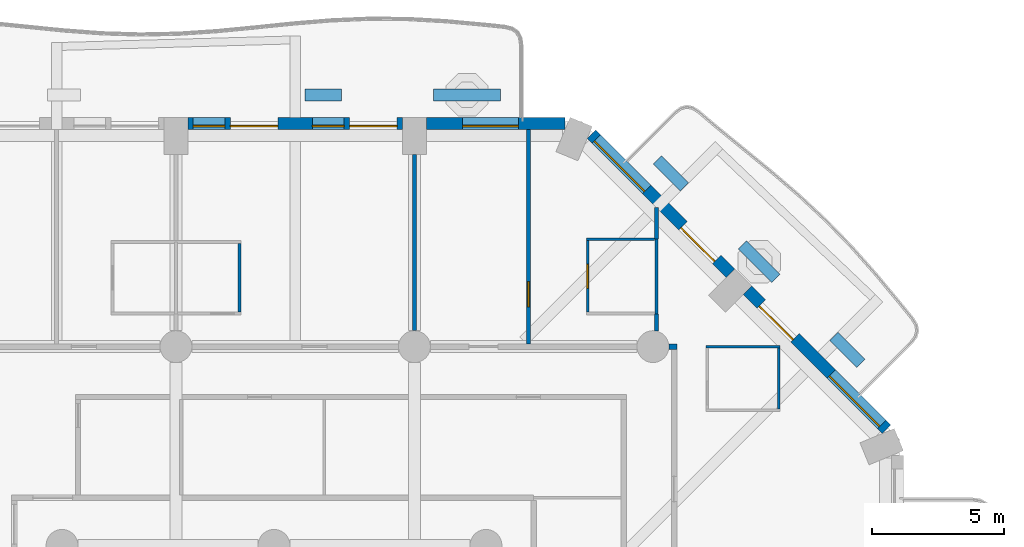
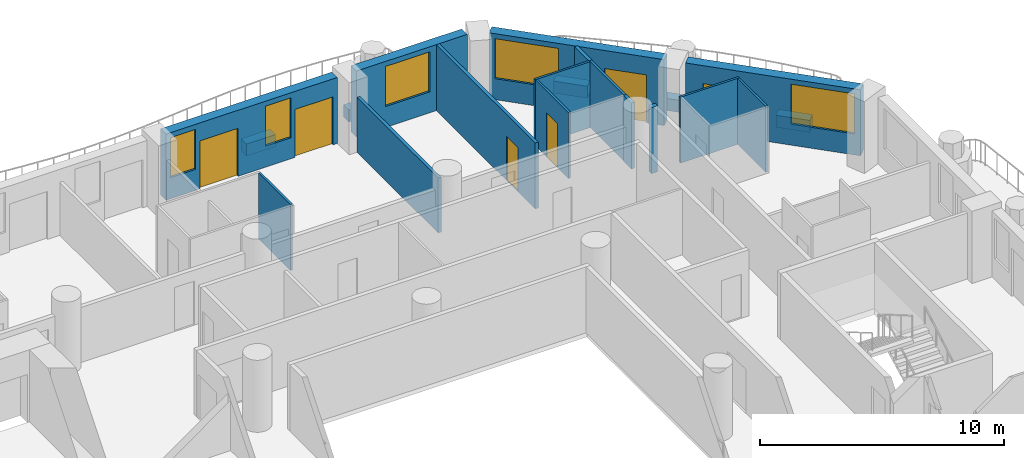
# One storey, part 10 of 20: 20 walls, 6 doors, 5 windows, 11 openings.
"""IFC4 building model written with IfcOpenShell, lengths in metres."""

import ifcopenshell
import ifcopenshell.guid

model = None  # the IFC model being written
_history = None  # IfcOwnerHistory: only IFC2X3 demands one
_inside = {}  # id of a spatial element -> (the spatial element, [elements in it])
_under = {}  # id of a project, library or spatial element -> (it, [spatial elements below it])
_declared = {}  # id of a project -> (the project, [libraries it declares])
_typed = {}  # id of a type object -> (the type object, [elements of that type])
_made_of = {}  # id of a material, layer set ... -> (it, [elements and type objects made of it])


def new_model(schema):
    """Start an empty IFC model of exactly this schema.

    Asked for "IFC4X3", IfcOpenShell would pick the latest addendum, in which some entities
    have other attributes; the version numbers below select the first issue.
    IFC2X3 requires an IfcOwnerHistory on every rooted entity: one is made here for all.
    """
    global model, _history
    if schema == "IFC4X3":
        model = ifcopenshell.file(schema_version=(4, 3, 0, 0))
    else:
        model = ifcopenshell.file(schema=schema)
    _inside.clear()
    _under.clear()
    _declared.clear()
    _typed.clear()
    _made_of.clear()
    _history = None
    if model.schema == "IFC2X3":
        org = make("IfcOrganization", Name="unknown")
        user = make(
            "IfcPersonAndOrganization",
            ThePerson=make("IfcPerson", FamilyName="unknown"),
            TheOrganization=org,
        )
        app = make(
            "IfcApplication",
            ApplicationDeveloper=org,
            Version="unknown",
            ApplicationFullName="unknown",
            ApplicationIdentifier="unknown",
        )
        _history = make(
            "IfcOwnerHistory",
            OwningUser=user,
            OwningApplication=app,
            ChangeAction="ADDED",
            CreationDate=0,
        )
    return model


def make(cls, **values):
    """One entity of the class cls with the attributes given. An attribute that is None is left unset."""
    return model.create_entity(
        cls, **{name: value for name, value in values.items() if value is not None}
    )


def rooted(cls, **values):
    """An entity with a GlobalId (a new one), such as an element, a storey or a relation."""
    return make(cls, GlobalId=ifcopenshell.guid.new(), OwnerHistory=_history, **values)


def si_unit(unit_type, name, prefix=None):
    """IfcSIUnit, for example si_unit("LENGTHUNIT", "METRE", prefix="MILLI")."""
    return make("IfcSIUnit", UnitType=unit_type, Prefix=prefix, Name=name)


def assignment(units):
    """IfcUnitAssignment: the units of a project."""
    return None if units is None else make("IfcUnitAssignment", Units=units)


def point(xyz):
    """IfcCartesianPoint."""
    return None if xyz is None else make("IfcCartesianPoint", Coordinates=xyz)


def direction(xyz):
    """IfcDirection."""
    return None if xyz is None else make("IfcDirection", DirectionRatios=xyz)


def frame(location, z_axis=None, x_axis=None):
    """IfcAxis2Placement3D, a coordinate frame: its origin and axes. An axis left out is left unset."""
    return make(
        "IfcAxis2Placement3D",
        Location=point(location),
        Axis=direction(z_axis),
        RefDirection=direction(x_axis),
    )


def frame_2d(location, x_axis=None):
    """IfcAxis2Placement2D, a coordinate frame in the plane: its origin and x axis."""
    return make(
        "IfcAxis2Placement2D", Location=point(location), RefDirection=direction(x_axis)
    )


def origin():
    """The frame at (0, 0, 0) with its axes left unset."""
    return frame((0.0, 0.0, 0.0))


def place(relative_to, where):
    """IfcLocalPlacement: puts the frame where relative to a parent placement (None: the world)."""
    return make(
        "IfcLocalPlacement", PlacementRelTo=relative_to, RelativePlacement=where
    )


def context(
    kind, dimensions, precision=None, world=None, true_north=None, identifier=None
):
    """IfcGeometricRepresentationContext, for example the 3D "Model" context."""
    return make(
        "IfcGeometricRepresentationContext",
        ContextIdentifier=identifier,
        ContextType=kind,
        CoordinateSpaceDimension=dimensions,
        Precision=precision,
        WorldCoordinateSystem=world,
        TrueNorth=true_north,
    )


def subcontext(parent, identifier, kind, view, scale=None):
    """IfcGeometricRepresentationSubContext, for example "Body" below "Model"."""
    return make(
        "IfcGeometricRepresentationSubContext",
        ContextIdentifier=identifier,
        ContextType=kind,
        ParentContext=parent,
        TargetScale=scale,
        TargetView=view,
    )


def project(units=None, contexts=None):
    """IfcProject with its units and contexts."""
    return rooted(
        "IfcProject",
        Name="project",
        RepresentationContexts=contexts,
        UnitsInContext=assignment(units),
    )


def spatial(cls, under=None, at=None, **own):
    """A site, building, storey or space (cls), placed at a placement, below another one or the project."""
    s = rooted(cls, ObjectPlacement=at, **own)
    if under is not None:
        _under.setdefault(under.id(), (under, []))[1].append(s)
    return s


def profile(cls, at=None, kind="AREA", **sizes):
    """A parametric profile (cls). Its sizes go by their IFC names, for example OverallWidth=200.0."""
    return make(cls, ProfileType=kind, Position=at, **sizes)


def rectangle(**sizes):
    """IfcRectangleProfileDef."""
    return profile("IfcRectangleProfileDef", **sizes)


def extrude(swept, where, along, depth):
    """IfcExtrudedAreaSolid: the profile swept, set in the frame where, extruded along a direction by depth."""
    return make(
        "IfcExtrudedAreaSolid",
        SweptArea=swept,
        Position=where,
        ExtrudedDirection=direction(along),
        Depth=depth,
    )


def shape(context_of_items, identifier, shape_type, items):
    """IfcShapeRepresentation: the items that make up one representation, for example the "Body"."""
    return make(
        "IfcShapeRepresentation",
        ContextOfItems=context_of_items,
        RepresentationIdentifier=identifier,
        RepresentationType=shape_type,
        Items=items,
    )


def material(Name=None, Category=None):
    """IfcMaterial."""
    return make("IfcMaterial", Name=Name, Category=Category)


def layer(
    of_material, thickness, ventilated=None, Name=None, Category=None, Priority=None
):
    """IfcMaterialLayer: one layer of a wall or slab, of a material (None: an air gap)."""
    return make(
        "IfcMaterialLayer",
        Material=of_material,
        LayerThickness=thickness,
        IsVentilated=ventilated,
        Name=Name,
        Category=Category,
        Priority=Priority,
    )


def layer_set(layers, Name=None):
    """IfcMaterialLayerSet."""
    return make("IfcMaterialLayerSet", MaterialLayers=layers, LayerSetName=Name)


def made_of(thing, what):
    """Note that an element or type object is made of a material, layer set ...; save() writes the relation."""
    if what is not None:
        _made_of.setdefault(what.id(), (what, []))[1].append(thing)
    return thing


def type_object(cls, material=None, **own):
    """A type object (cls), such as IfcWallType, which elements share."""
    return made_of(rooted(cls, **own), material)


def element(
    cls,
    number,
    at=None,
    inside=None,
    cuts=None,
    type_object=None,
    material=None,
    context=None,
    identifier="Body",
    shape_type=None,
    held_by="IfcProductDefinitionShape",
    body=None,
    shapes=None,
    **own,
):
    """One element of the class cls, such as IfcWall. Its Tag is "e" and its number.

    at: its placement. inside: the storey or other place that contains it. cuts: it is an
    opening in that element (IfcRelVoidsElement). A single representation is given by context,
    identifier, shape_type and body (its items); several are given by shapes. held_by: the class
    of the entity that holds the representations. save() writes the other relations.
    """
    e = rooted(cls, Tag="e%d" % number, ObjectPlacement=at, **own)
    if body is not None:
        shapes = [shape(context, identifier, shape_type, body)]
    if shapes is not None:
        e.Representation = make(held_by, Representations=shapes)
    if inside is not None:
        _inside.setdefault(inside.id(), (inside, []))[1].append(e)
    if cuts is not None:
        rooted(
            "IfcRelVoidsElement", RelatingBuildingElement=cuts, RelatedOpeningElement=e
        )
    if type_object is not None:
        _typed.setdefault(type_object.id(), (type_object, []))[1].append(e)
    return made_of(e, material)


def fill(opening, filler):
    """IfcRelFillsElement: the door or window that sits in an opening."""
    return rooted(
        "IfcRelFillsElement",
        RelatingOpeningElement=opening,
        RelatedBuildingElement=filler,
    )


def aggregate(whole, parts):
    """IfcRelAggregates: a whole, such as a stair, and the parts it consists of."""
    return rooted("IfcRelAggregates", RelatingObject=whole, RelatedObjects=parts)


def save(model, path):
    """Write the relations noted so far, then the file.

    IfcRelAggregates (storeys below a building ...), IfcRelContainedInSpatialStructure (elements
    in a storey), IfcRelDefinesByType, IfcRelAssociatesMaterial and IfcRelDeclares: one each for
    every whole, place, type object, material and project.
    """
    for whole, parts in _under.values():
        aggregate(whole, parts)
    for where, things in _inside.values():
        rooted(
            "IfcRelContainedInSpatialStructure",
            RelatedElements=things,
            RelatingStructure=where,
        )
    for kind, things in _typed.values():
        rooted("IfcRelDefinesByType", RelatedObjects=things, RelatingType=kind)
    for what, things in _made_of.values():
        rooted("IfcRelAssociatesMaterial", RelatedObjects=things, RelatingMaterial=what)
    for by, libraries in _declared.values():
        rooted("IfcRelDeclares", RelatingContext=by, RelatedDefinitions=libraries)
    model.write(path)


model = new_model("IFC4")

# Units and contexts
model_context = context("Model", 3, precision=1e-05, world=origin(), true_north=direction((0.0, 1.0)))
body_context = subcontext(model_context, "Body", "Model", "MODEL_VIEW")
ifc_project = project(units=[si_unit("LENGTHUNIT", "METRE"), si_unit("AREAUNIT", "SQUARE_METRE"), si_unit("VOLUMEUNIT", "CUBIC_METRE"), si_unit("PLANEANGLEUNIT", "RADIAN"), si_unit("MASSUNIT", "GRAM", prefix="KILO")], contexts=[model_context])

# Site, building, storey
site_placement = place(None, origin())
site = spatial("IfcSite", under=ifc_project, at=site_placement, CompositionType="ELEMENT")
building_placement = place(site_placement, origin())
building = spatial("IfcBuilding", under=site, at=building_placement, Name="Cypress Arch Tower", CompositionType="ELEMENT")
storey_placement = place(building_placement, frame((0.0, 0.0, 91.5)))
storey = spatial("IfcBuildingStorey", under=building, at=storey_placement, Name="L17", CompositionType="ELEMENT", Elevation=91.5)

# Walls
ifc_material_1 = material(Name="Concrete C40/50, waterproofed", Category="concrete")
ifc_layer_1 = layer(ifc_material_1, 0.449951171875)
ifc_layer_set_1 = layer_set([ifc_layer_1], Name="Balcony planter wall PW450")
wall_type_1 = type_object("IfcWallType", Name="Balcony planter wall PW450", PredefinedType="SOLIDWALL", material=ifc_layer_set_1)
wall_1_placement = place(storey_placement, frame((23.150390625, 16.86376953125, 0.0), z_axis=(0.0, 0.0, 1.0), x_axis=(-0.707106781187, 0.707106781187, 0.0)))
element("IfcWall", 1, at=wall_1_placement, inside=storey, type_object=wall_type_1, Name="Balcony planter wall L17-A07.1", PredefinedType="SOLIDWALL", context=body_context, shape_type="SweptSolid", body=[
    extrude(rectangle(XDim=1.44482421875, YDim=0.449951171875, at=frame_2d((0.722412109375, 0.0))), origin(), (0.0, 0.0, 1.0), 0.60009765625),
])
wall_2_placement = place(storey_placement, frame((19.9365234375, 20.07763671875, 0.0), z_axis=(0.0, 0.0, 1.0), x_axis=(-0.707106781187, 0.707106781187, 0.0)))
element("IfcWall", 2, at=wall_2_placement, inside=storey, type_object=wall_type_1, Name="Balcony planter wall L17-A07.2", PredefinedType="SOLIDWALL", context=body_context, shape_type="SweptSolid", body=[
    extrude(rectangle(XDim=1.780517578125, YDim=0.449951171875, at=frame_2d((0.89013671875, 0.0))), origin(), (0.0, 0.0, 1.0), 0.60009765625),
])
wall_3_placement = place(storey_placement, frame((16.485595703125, 23.528564453125, 0.0), z_axis=(0.0, 0.0, 1.0), x_axis=(-0.707022305137, 0.707191247145, 0.0)))
element("IfcWall", 3, at=wall_3_placement, inside=storey, type_object=wall_type_1, Name="Balcony planter wall L17-A07.3", PredefinedType="SOLIDWALL", context=body_context, shape_type="SweptSolid", body=[
    extrude(rectangle(XDim=1.445068359375, YDim=0.449951171875, at=frame_2d((0.72265625, 0.0))), origin(), (0.0, 0.0, 1.0), 0.60009765625),
])
wall_4_placement = place(storey_placement, frame((9.550048828125, 27.0, 0.0), z_axis=(0.0, 0.0, 1.0), x_axis=(-1.0, 0.0, 0.0)))
element("IfcWall", 4, at=wall_4_placement, inside=storey, type_object=wall_type_1, Name="Balcony planter wall L17-A08.1", PredefinedType="SOLIDWALL", context=body_context, shape_type="SweptSolid", body=[
    extrude(rectangle(XDim=2.53759765625, YDim=0.449951171875, at=frame_2d((1.268798828125, 0.0))), origin(), (0.0, 0.0, 1.0), 0.60009765625),
])
wall_5_placement = place(storey_placement, frame((3.550048828125, 27.0, 0.0), z_axis=(0.0, 0.0, 1.0), x_axis=(-1.0, 0.0, 0.0)))
element("IfcWall", 5, at=wall_5_placement, inside=storey, type_object=wall_type_1, Name="Balcony planter wall L17-A08.2", PredefinedType="SOLIDWALL", context=body_context, shape_type="SweptSolid", body=[
    extrude(rectangle(XDim=1.375, YDim=0.449951171875, at=frame_2d((0.6875, 0.0))), origin(), (0.0, 0.0, 1.0), 0.60009765625),
])

# Wall, openings, door, window
ifc_material_2 = material(Name="Brick (red buff blend)", Category="masonry")
ifc_layer_2 = layer(ifc_material_2, 0.449951171875)
ifc_layer_set_2 = layer_set([ifc_layer_2], Name="Brick pier and spandrel wall BW450")
wall_type_2 = type_object("IfcWallType", Name="Brick pier and spandrel wall BW450", PredefinedType="SOLIDWALL", material=ifc_layer_set_2)
wall_6_placement = place(storey_placement, frame((24.11474609375, 14.379150390625, 0.0), z_axis=(0.0, 0.0, 1.0), x_axis=(-0.707106781187, 0.707106781187, 0.0)))
wall_6 = element("IfcWall", 6, at=wall_6_placement, inside=storey, type_object=wall_type_2, Name="Brick wall L17 A07.0", PredefinedType="SOLIDWALL", context=body_context, shape_type="SweptSolid", body=[
    extrude(rectangle(XDim=7.423828125, YDim=0.449951171875, at=frame_2d((3.7119140625, 0.0))), origin(), (0.0, 0.0, 1.0), 3.300048828125),
])
opening_1_placement = place(wall_6_placement, frame((0.253173828125, 0.0, 1.050048828125)))
opening_1 = element("IfcOpeningElement", 7, at=opening_1_placement, cuts=wall_6, Name="Opening W270HD", PredefinedType="OPENING", context=body_context, shape_type="SweptSolid", body=[
    extrude(rectangle(XDim=2.699951171875, YDim=2.0, at=frame_2d((1.35009765625, 1.0))), frame((0.0, 0.23486328125, 0.0), z_axis=(0.0, -1.0, 0.0), x_axis=(1.0, 0.0, 0.0)), (0.0, 0.0, 1.0), 0.469970703125),
])
opening_2_placement = place(wall_6_placement, frame((4.8837890625, 0.0, 0.0)))
opening_2 = element("IfcOpeningElement", 8, at=opening_2_placement, cuts=wall_6, Name="Opening D-L17-A07.0.2", PredefinedType="OPENING", context=body_context, shape_type="SweptSolid", body=[
    extrude(rectangle(XDim=1.800048828125, YDim=2.39990234375, at=frame_2d((0.89990234375, 1.199951171875))), frame((0.0, 0.23486328125, 0.0), z_axis=(0.0, -1.0, 0.0), x_axis=(1.0, 0.0, 0.0)), (0.0, 0.0, 1.0), 0.469970703125),
])
ifc_material_3 = material(Name="Anodised aluminium, bronze finish, laminated low-emissivity double glazing, large-missile impact rated", Category="aluminium")
door_type_1 = type_object("IfcDoorType", Name="Balcony sliding door 1800x2400", OperationType="SLIDING_TO_LEFT", PredefinedType="DOOR", material=ifc_material_3)
door_1_placement = place(opening_2_placement, origin())
door_1 = element("IfcDoor", 9, at=door_1_placement, inside=storey, type_object=door_type_1, Name="Balcony door L17 A07.0.2", OperationType="SLIDING_TO_LEFT", OverallHeight=2.39990234375, OverallWidth=1.800048828125, PredefinedType="DOOR", context=body_context, shape_type="SweptSolid", body=[
    extrude(rectangle(XDim=1.800048828125, YDim=2.39990234375, at=frame_2d((0.89990234375, 1.199951171875))), frame((0.0, 0.1298828125, 0.0), z_axis=(0.0, -1.0, 0.0), x_axis=(1.0, 0.0, 0.0)), (0.0, 0.0, 1.0), 0.050048828125),
])
fill(opening_2, door_1)
ifc_material_4 = material(Name="Anodised aluminium, bronze finish, laminated low-emissivity double glazing, large-missile impact rated", Category="aluminium")
window_type_1 = type_object("IfcWindowType", Name="Window Hotel 2700x2000 debris-rated", PartitioningType="SINGLE_PANEL", PredefinedType="WINDOW", material=ifc_material_4)
window_1_placement = place(opening_1_placement, origin())
window_1 = element("IfcWindow", 10, at=window_1_placement, inside=storey, type_object=window_type_1, Name="Window L17 A07.0.1", OverallHeight=2.0, OverallWidth=2.699951171875, PartitioningType="SINGLE_PANEL", PredefinedType="WINDOW", context=body_context, shape_type="SweptSolid", body=[
    extrude(rectangle(XDim=2.699951171875, YDim=2.0, at=frame_2d((1.35009765625, 1.0))), frame((0.0, 0.135009765625, 0.0), z_axis=(0.0, -1.0, 0.0), x_axis=(1.0, 0.0, 0.0)), (0.0, 0.0, 1.0), 0.06005859375),
])
fill(opening_1, window_1)

wall_7_placement = place(storey_placement, frame((18.228759765625, 20.26513671875, 0.0), z_axis=(0.0, 0.0, 1.0), x_axis=(-0.707106781187, 0.707106781187, 0.0)))
wall_7 = element("IfcWall", 11, at=wall_7_placement, inside=storey, type_object=wall_type_2, Name="Brick wall L17 A07.1", PredefinedType="SOLIDWALL", context=body_context, shape_type="SweptSolid", body=[
    extrude(rectangle(XDim=7.423828125, YDim=0.449951171875, at=frame_2d((3.7119140625, 0.0))), origin(), (0.0, 0.0, 1.0), 3.300048828125),
])
opening_3_placement = place(wall_7_placement, frame((0.740234375, 0.0, 0.0)))
opening_3 = element("IfcOpeningElement", 12, at=opening_3_placement, cuts=wall_7, Name="Opening D-L17-A07.1.1", PredefinedType="OPENING", context=body_context, shape_type="SweptSolid", body=[
    extrude(rectangle(XDim=1.800048828125, YDim=2.39990234375, at=frame_2d((0.89990234375, 1.199951171875))), frame((0.0, 0.23486328125, 0.0), z_axis=(0.0, -1.0, 0.0), x_axis=(1.0, 0.0, 0.0)), (0.0, 0.0, 1.0), 0.469970703125),
])
opening_4_placement = place(wall_7_placement, frame((4.470703125, 0.0, 1.050048828125)))
opening_4 = element("IfcOpeningElement", 13, at=opening_4_placement, cuts=wall_7, Name="Opening W270HD", PredefinedType="OPENING", context=body_context, shape_type="SweptSolid", body=[
    extrude(rectangle(XDim=2.699951171875, YDim=2.0, at=frame_2d((1.35009765625, 1.0))), frame((0.0, 0.23486328125, 0.0), z_axis=(0.0, -1.0, 0.0), x_axis=(1.0, 0.0, 0.0)), (0.0, 0.0, 1.0), 0.469970703125),
])
door_2_placement = place(opening_3_placement, origin())
door_2 = element("IfcDoor", 14, at=door_2_placement, inside=storey, type_object=door_type_1, Name="Balcony door L17 A07.1.1", OperationType="SLIDING_TO_LEFT", OverallHeight=2.39990234375, OverallWidth=1.800048828125, PredefinedType="DOOR", context=body_context, shape_type="SweptSolid", body=[
    extrude(rectangle(XDim=1.800048828125, YDim=2.39990234375, at=frame_2d((0.89990234375, 1.199951171875))), frame((0.0, 0.1298828125, 0.0), z_axis=(0.0, -1.0, 0.0), x_axis=(1.0, 0.0, 0.0)), (0.0, 0.0, 1.0), 0.050048828125),
])
fill(opening_3, door_2)
window_2_placement = place(opening_4_placement, origin())
window_2 = element("IfcWindow", 15, at=window_2_placement, inside=storey, type_object=window_type_1, Name="Window L17 A07.1.2", OverallHeight=2.0, OverallWidth=2.699951171875, PartitioningType="SINGLE_PANEL", PredefinedType="WINDOW", context=body_context, shape_type="SweptSolid", body=[
    extrude(rectangle(XDim=2.699951171875, YDim=2.0, at=frame_2d((1.35009765625, 1.0))), frame((0.0, 0.135009765625, 0.0), z_axis=(0.0, -1.0, 0.0), x_axis=(1.0, 0.0, 0.0)), (0.0, 0.0, 1.0), 0.06005859375),
])
fill(opening_4, window_2)

# Wall, opening, window
wall_8_placement = place(storey_placement, frame((11.98876953125, 25.925048828125, 0.0), z_axis=(0.0, 0.0, 1.0), x_axis=(-1.0, 0.0, 0.0)))
wall_8 = element("IfcWall", 16, at=wall_8_placement, inside=storey, type_object=wall_type_2, Name="Brick wall L17 A08.0", PredefinedType="SOLIDWALL", context=body_context, shape_type="SweptSolid", body=[
    extrude(rectangle(XDim=5.23876953125, YDim=0.449951171875, at=frame_2d((2.619384765625, 0.0))), origin(), (0.0, 0.0, 1.0), 3.300048828125),
])
opening_5_placement = place(wall_8_placement, frame((1.769775390625, 0.0, 1.050048828125)))
opening_5 = element("IfcOpeningElement", 17, at=opening_5_placement, cuts=wall_8, Name="Opening W210HD", PredefinedType="OPENING", context=body_context, shape_type="SweptSolid", body=[
    extrude(rectangle(XDim=2.10009765625, YDim=2.0, at=frame_2d((1.050048828125, 1.0))), frame((0.0, 0.23486328125, 0.0), z_axis=(0.0, -1.0, 0.0), x_axis=(1.0, 0.0, 0.0)), (0.0, 0.0, 1.0), 0.469970703125),
])
ifc_material_5 = material(Name="Anodised aluminium, bronze finish, laminated low-emissivity double glazing, large-missile impact rated", Category="aluminium")
window_type_2 = type_object("IfcWindowType", Name="Window Hotel 2100x2000 debris-rated", PartitioningType="SINGLE_PANEL", PredefinedType="WINDOW", material=ifc_material_5)
window_3_placement = place(opening_5_placement, origin())
window_3 = element("IfcWindow", 18, at=window_3_placement, inside=storey, type_object=window_type_2, Name="Window L17 A08.0.1", OverallHeight=2.0, OverallWidth=2.10009765625, PartitioningType="SINGLE_PANEL", PredefinedType="WINDOW", context=body_context, shape_type="SweptSolid", body=[
    extrude(rectangle(XDim=2.10009765625, YDim=2.0, at=frame_2d((1.050048828125, 1.0))), frame((0.0, 0.135009765625, 0.0), z_axis=(0.0, -1.0, 0.0), x_axis=(1.0, 0.0, 0.0)), (0.0, 0.0, 1.0), 0.06005859375),
])
fill(opening_5, window_3)

# Wall, openings, doors, windows
wall_9_placement = place(storey_placement, frame((5.85009765625, 25.925048828125, 0.0), z_axis=(0.0, 0.0, 1.0), x_axis=(-1.0, 0.0, 0.0)))
wall_9 = element("IfcWall", 19, at=wall_9_placement, inside=storey, type_object=wall_type_2, Name="Brick wall L17 A08.1", PredefinedType="SOLIDWALL", context=body_context, shape_type="SweptSolid", body=[
    extrude(rectangle(XDim=8.10009765625, YDim=0.449951171875, at=frame_2d((4.050048828125, 0.0))), origin(), (0.0, 0.0, 1.0), 3.300048828125),
])
opening_6_placement = place(wall_9_placement, frame((0.199951171875, 0.0, 0.0)))
opening_6 = element("IfcOpeningElement", 20, at=opening_6_placement, cuts=wall_9, Name="Opening D-L17-A08.1.1", PredefinedType="OPENING", context=body_context, shape_type="SweptSolid", body=[
    extrude(rectangle(XDim=1.800048828125, YDim=2.39990234375, at=frame_2d((0.89990234375, 1.199951171875))), frame((0.0, 0.23486328125, 0.0), z_axis=(0.0, -1.0, 0.0), x_axis=(1.0, 0.0, 0.0)), (0.0, 0.0, 1.0), 0.469970703125),
])
opening_7_placement = place(wall_9_placement, frame((2.199951171875, 0.0, 1.050048828125)))
opening_7 = element("IfcOpeningElement", 21, at=opening_7_placement, cuts=wall_9, Name="Opening W120HD", PredefinedType="OPENING", context=body_context, shape_type="SweptSolid", body=[
    extrude(rectangle(XDim=1.199951171875, YDim=2.0, at=frame_2d((0.60009765625, 1.0))), frame((0.0, 0.23486328125, 0.0), z_axis=(0.0, -1.0, 0.0), x_axis=(1.0, 0.0, 0.0)), (0.0, 0.0, 1.0), 0.469970703125),
])
opening_8_placement = place(wall_9_placement, frame((4.699951171875, 0.0, 0.0)))
opening_8 = element("IfcOpeningElement", 22, at=opening_8_placement, cuts=wall_9, Name="Opening D-L17-A08.1.2", PredefinedType="OPENING", context=body_context, shape_type="SweptSolid", body=[
    extrude(rectangle(XDim=1.800048828125, YDim=2.39990234375, at=frame_2d((0.89990234375, 1.199951171875))), frame((0.0, 0.23486328125, 0.0), z_axis=(0.0, -1.0, 0.0), x_axis=(1.0, 0.0, 0.0)), (0.0, 0.0, 1.0), 0.469970703125),
])
opening_9_placement = place(wall_9_placement, frame((6.699951171875, 0.0, 1.050048828125)))
opening_9 = element("IfcOpeningElement", 23, at=opening_9_placement, cuts=wall_9, Name="Opening W120HD", PredefinedType="OPENING", context=body_context, shape_type="SweptSolid", body=[
    extrude(rectangle(XDim=1.199951171875, YDim=2.0, at=frame_2d((0.60009765625, 1.0))), frame((0.0, 0.23486328125, 0.0), z_axis=(0.0, -1.0, 0.0), x_axis=(1.0, 0.0, 0.0)), (0.0, 0.0, 1.0), 0.469970703125),
])
door_3_placement = place(opening_6_placement, origin())
door_3 = element("IfcDoor", 24, at=door_3_placement, inside=storey, type_object=door_type_1, Name="Balcony door L17 A08.1.1", OperationType="SLIDING_TO_LEFT", OverallHeight=2.39990234375, OverallWidth=1.800048828125, PredefinedType="DOOR", context=body_context, shape_type="SweptSolid", body=[
    extrude(rectangle(XDim=1.800048828125, YDim=2.39990234375, at=frame_2d((0.89990234375, 1.199951171875))), frame((0.0, 0.1298828125, 0.0), z_axis=(0.0, -1.0, 0.0), x_axis=(1.0, 0.0, 0.0)), (0.0, 0.0, 1.0), 0.050048828125),
])
fill(opening_6, door_3)
door_4_placement = place(opening_8_placement, origin())
door_4 = element("IfcDoor", 25, at=door_4_placement, inside=storey, type_object=door_type_1, Name="Balcony door L17 A08.1.2", OperationType="SLIDING_TO_LEFT", OverallHeight=2.39990234375, OverallWidth=1.800048828125, PredefinedType="DOOR", context=body_context, shape_type="SweptSolid", body=[
    extrude(rectangle(XDim=1.800048828125, YDim=2.39990234375, at=frame_2d((0.89990234375, 1.199951171875))), frame((0.0, 0.1298828125, 0.0), z_axis=(0.0, -1.0, 0.0), x_axis=(1.0, 0.0, 0.0)), (0.0, 0.0, 1.0), 0.050048828125),
])
fill(opening_8, door_4)
ifc_material_6 = material(Name="Anodised aluminium, bronze finish, laminated low-emissivity double glazing, large-missile impact rated", Category="aluminium")
window_type_3 = type_object("IfcWindowType", Name="Window Hotel 1200x2000 debris-rated", PartitioningType="SINGLE_PANEL", PredefinedType="WINDOW", material=ifc_material_6)
window_4_placement = place(opening_7_placement, origin())
window_4 = element("IfcWindow", 26, at=window_4_placement, inside=storey, type_object=window_type_3, Name="Window L17 A08.1.1", OverallHeight=2.0, OverallWidth=1.199951171875, PartitioningType="SINGLE_PANEL", PredefinedType="WINDOW", context=body_context, shape_type="SweptSolid", body=[
    extrude(rectangle(XDim=1.199951171875, YDim=2.0, at=frame_2d((0.60009765625, 1.0))), frame((0.0, 0.135009765625, 0.0), z_axis=(0.0, -1.0, 0.0), x_axis=(1.0, 0.0, 0.0)), (0.0, 0.0, 1.0), 0.06005859375),
])
fill(opening_7, window_4)
window_5_placement = place(opening_9_placement, origin())
window_5 = element("IfcWindow", 27, at=window_5_placement, inside=storey, type_object=window_type_3, Name="Window L17 A08.1.2", OverallHeight=2.0, OverallWidth=1.199951171875, PartitioningType="SINGLE_PANEL", PredefinedType="WINDOW", context=body_context, shape_type="SweptSolid", body=[
    extrude(rectangle(XDim=1.199951171875, YDim=2.0, at=frame_2d((0.60009765625, 1.0))), frame((0.0, 0.135009765625, 0.0), z_axis=(0.0, -1.0, 0.0), x_axis=(1.0, 0.0, 0.0)), (0.0, 0.0, 1.0), 0.06005859375),
])
fill(opening_9, window_5)

# Walls
ifc_material_7 = material(Name="Concrete blockwork, plastered, rated", Category="masonry")
ifc_layer_3 = layer(ifc_material_7, 0.199951171875)
ifc_layer_set_3 = layer_set([ifc_layer_3], Name="Corridor wall FW200")
wall_type_3 = type_object("IfcWallType", Name="Corridor wall FW200", PredefinedType="PARTITIONING", material=ifc_layer_set_3)
wall_10_placement = place(storey_placement, frame((15.89990234375, 17.5, 0.0), z_axis=(0.0, 0.0, 1.0), x_axis=(1.0, 0.0, 0.0)))
element("IfcWall", 28, at=wall_10_placement, inside=storey, type_object=wall_type_3, Name="Corridor wall", PredefinedType="PARTITIONING", context=body_context, shape_type="SweptSolid", body=[
    extrude(rectangle(XDim=0.300048828125, YDim=0.199951171875, at=frame_2d((0.14990234375, 0.0))), origin(), (0.0, 0.0, 1.0), 3.300048828125),
])
ifc_material_8 = material(Name="Blockwork, plastered both sides", Category="masonry")
ifc_layer_4 = layer(ifc_material_8, 0.14990234375)
ifc_layer_set_4 = layer_set([ifc_layer_4], Name="Partition PW150")
wall_type_4 = type_object("IfcWallType", Name="Partition PW150", PredefinedType="PARTITIONING", material=ifc_layer_set_4)
wall_11_placement = place(storey_placement, frame((6.300048828125, 18.10009765625, 0.0), z_axis=(0.0, 0.0, 1.0), x_axis=(0.0, 1.0, 0.0)))
element("IfcWall", 29, at=wall_11_placement, inside=storey, type_object=wall_type_4, Name="Partition", PredefinedType="PARTITIONING", context=body_context, shape_type="SweptSolid", body=[
    extrude(rectangle(XDim=6.64990234375, YDim=0.14990234375, at=frame_2d((3.324951171875, 0.0))), origin(), (0.0, 0.0, 1.0), 2.75),
])

# Wall, opening, door
wall_12_placement = place(storey_placement, frame((10.60009765625, 17.60009765625, 0.0), z_axis=(0.0, 0.0, 1.0), x_axis=(0.0, 1.0, 0.0)))
wall_12 = element("IfcWall", 30, at=wall_12_placement, inside=storey, type_object=wall_type_4, Name="Partition", PredefinedType="PARTITIONING", context=body_context, shape_type="SweptSolid", body=[
    extrude(rectangle(XDim=8.099853515625, YDim=0.14990234375, at=frame_2d((4.0498046875, 0.0))), origin(), (0.0, 0.0, 1.0), 3.300048828125),
])
opening_10_placement = place(wall_12_placement, frame((1.39990234375, 0.0, 0.0)))
opening_10 = element("IfcOpeningElement", 31, at=opening_10_placement, cuts=wall_12, Name="Opening D12", PredefinedType="OPENING", context=body_context, shape_type="SweptSolid", body=[
    extrude(rectangle(XDim=0.949951171875, YDim=2.199951171875, at=frame_2d((0.47509765625, 1.10009765625))), frame((0.0, 0.0849609375, 0.0), z_axis=(0.0, -1.0, 0.0), x_axis=(1.0, 0.0, 0.0)), (0.0, 0.0, 1.0), 0.169921875),
])
ifc_material_9 = material(Name="Timber flush door", Category="wood")
door_type_2 = type_object("IfcDoorType", Name="Room door D12 950x2200", OperationType="SINGLE_SWING_LEFT", PredefinedType="DOOR", material=ifc_material_9)
door_5_placement = place(opening_10_placement, origin())
door_5 = element("IfcDoor", 32, at=door_5_placement, inside=storey, type_object=door_type_2, Name="Room door", OperationType="SINGLE_SWING_LEFT", OverallHeight=2.199951171875, OverallWidth=0.949951171875, PredefinedType="DOOR", context=body_context, shape_type="SweptSolid", body=[
    extrude(rectangle(XDim=0.949951171875, YDim=2.199951171875, at=frame_2d((0.47509765625, 1.10009765625))), frame((0.0, 0.02490234375, 0.0), z_axis=(0.0, -1.0, 0.0), x_axis=(1.0, 0.0, 0.0)), (0.0, 0.0, 1.0), 0.050048828125),
])
fill(opening_10, door_5)

# Walls
wall_13_placement = place(storey_placement, frame((15.431884765625, 18.093994140625, 0.0), z_axis=(0.0, 0.0, 1.0), x_axis=(0.0, 1.0, 0.0)))
element("IfcWall", 33, at=wall_13_placement, inside=storey, type_object=wall_type_4, Name="Partition", PredefinedType="PARTITIONING", context=body_context, shape_type="SweptSolid", body=[
    extrude(rectangle(XDim=0.635986328125, YDim=0.14990234375, at=frame_2d((0.31787109375, 0.0))), origin(), (0.0, 0.0, 1.0), 3.300048828125),
])
wall_14_placement = place(storey_placement, frame((15.431884765625, 21.570068359375, 0.0), z_axis=(0.0, 0.0, 1.0), x_axis=(0.0, 1.0, 0.0)))
element("IfcWall", 34, at=wall_14_placement, inside=storey, type_object=wall_type_4, Name="Partition", PredefinedType="PARTITIONING", context=body_context, shape_type="SweptSolid", body=[
    extrude(rectangle(XDim=1.173583984375, YDim=0.14990234375, at=frame_2d((0.5869140625, 0.0))), origin(), (0.0, 0.0, 1.0), 3.300048828125),
])
ifc_material_10 = material(Name="Moisture resistant board on steel studs, tiled", Category="steel")
ifc_layer_5 = layer(ifc_material_10, 0.10009765625)
ifc_layer_set_5 = layer_set([ifc_layer_5], Name="Wet wall PW100")
wall_type_5 = type_object("IfcWallType", Name="Wet wall PW100", PredefinedType="PARTITIONING", material=ifc_layer_set_5)
wall_15_placement = place(storey_placement, frame((-0.303955078125, 18.800048828125, 0.0), z_axis=(0.0, 0.0, 1.0), x_axis=(0.0, 1.0, 0.0)))
element("IfcWall", 35, at=wall_15_placement, inside=storey, type_object=wall_type_5, Name="Wet wall", PredefinedType="PARTITIONING", context=body_context, shape_type="SweptSolid", body=[
    extrude(rectangle(XDim=2.599853515625, YDim=0.10009765625, at=frame_2d((1.2998046875, 0.0))), origin(), (0.0, 0.0, 1.0), 3.300048828125),
])

# Wall, opening, door
wall_16_placement = place(storey_placement, frame((12.8359375, 18.800048828125, 0.0), z_axis=(0.0, 0.0, 1.0), x_axis=(0.0, 1.0, 0.0)))
wall_16 = element("IfcWall", 36, at=wall_16_placement, inside=storey, type_object=wall_type_5, Name="Wet wall", PredefinedType="PARTITIONING", context=body_context, shape_type="SweptSolid", body=[
    extrude(rectangle(XDim=2.699951171875, YDim=0.10009765625, at=frame_2d((1.35009765625, 0.0))), origin(), (0.0, 0.0, 1.0), 3.300048828125),
])
opening_11_placement = place(wall_16_placement, frame((0.89990234375, 0.0, 0.0)))
opening_11 = element("IfcOpeningElement", 37, at=opening_11_placement, cuts=wall_16, Name="Opening D03", PredefinedType="OPENING", context=body_context, shape_type="SweptSolid", body=[
    extrude(rectangle(XDim=0.89990234375, YDim=2.199951171875, at=frame_2d((0.449951171875, 1.10009765625))), frame((0.0, 0.06005859375, 0.0), z_axis=(0.0, -1.0, 0.0), x_axis=(1.0, 0.0, 0.0)), (0.0, 0.0, 1.0), 0.1201171875),
])
ifc_material_11 = material(Name="Timber flush door, moisture resistant", Category="wood")
door_type_3 = type_object("IfcDoorType", Name="Bathroom door D03 900x2200", OperationType="SINGLE_SWING_LEFT", PredefinedType="DOOR", material=ifc_material_11)
door_6_placement = place(opening_11_placement, origin())
door_6 = element("IfcDoor", 38, at=door_6_placement, inside=storey, type_object=door_type_3, Name="Bathroom door", OperationType="SINGLE_SWING_LEFT", OverallHeight=2.199951171875, OverallWidth=0.89990234375, PredefinedType="DOOR", context=body_context, shape_type="SweptSolid", body=[
    extrude(rectangle(XDim=0.89990234375, YDim=2.199951171875, at=frame_2d((0.449951171875, 1.10009765625))), frame((0.0, 0.02490234375, 0.0), z_axis=(0.0, -1.0, 0.0), x_axis=(1.0, 0.0, 0.0)), (0.0, 0.0, 1.0), 0.050048828125),
])
fill(opening_11, door_6)

# Walls
wall_17_placement = place(storey_placement, frame((12.785888671875, 21.550048828125, 0.0), z_axis=(0.0, 0.0, 1.0), x_axis=(1.0, 0.0, 0.0)))
element("IfcWall", 39, at=wall_17_placement, inside=storey, type_object=wall_type_5, Name="Wet wall", PredefinedType="PARTITIONING", context=body_context, shape_type="SweptSolid", body=[
    extrude(rectangle(XDim=2.571044921875, YDim=0.10009765625, at=frame_2d((1.28564453125, 0.0))), origin(), (0.0, 0.0, 1.0), 3.300048828125),
])
wall_18_placement = place(storey_placement, frame((15.431884765625, 18.72998046875, 0.0), z_axis=(0.0, 0.0, 1.0), x_axis=(0.0, 1.0, 0.0)))
element("IfcWall", 40, at=wall_18_placement, inside=storey, type_object=wall_type_5, Name="Wet wall", PredefinedType="PARTITIONING", context=body_context, shape_type="SweptSolid", body=[
    extrude(rectangle(XDim=2.840087890625, YDim=0.10009765625, at=frame_2d((1.419921875, 0.0))), origin(), (0.0, 0.0, 1.0), 3.300048828125),
])
wall_19_placement = place(storey_placement, frame((17.300048828125, 17.5, 0.0), z_axis=(0.0, 0.0, 1.0), x_axis=(1.0, 0.0, 0.0)))
element("IfcWall", 41, at=wall_19_placement, inside=storey, type_object=wall_type_5, Name="Wet wall", PredefinedType="PARTITIONING", context=body_context, shape_type="SweptSolid", body=[
    extrude(rectangle(XDim=2.800048828125, YDim=0.10009765625, at=frame_2d((1.39990234375, 0.0))), origin(), (0.0, 0.0, 1.0), 3.300048828125),
])
wall_20_placement = place(storey_placement, frame((20.050048828125, 15.14990234375, 0.0), z_axis=(0.0, 0.0, 1.0), x_axis=(0.0, 1.0, 0.0)))
element("IfcWall", 42, at=wall_20_placement, inside=storey, type_object=wall_type_5, Name="Wet wall", PredefinedType="PARTITIONING", context=body_context, shape_type="SweptSolid", body=[
    extrude(rectangle(XDim=2.300048828125, YDim=0.10009765625, at=frame_2d((1.14990234375, 0.0))), origin(), (0.0, 0.0, 1.0), 3.300048828125),
])

save(model, "model.ifc")
